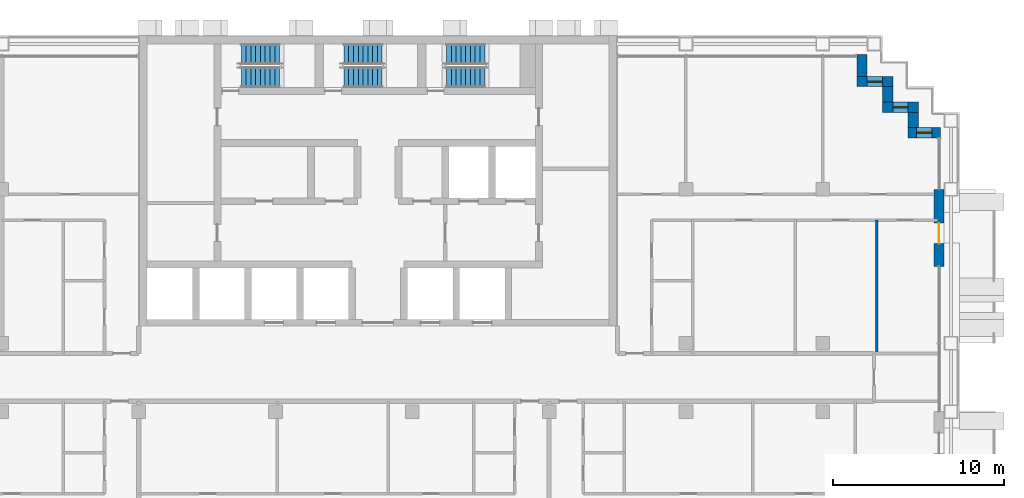
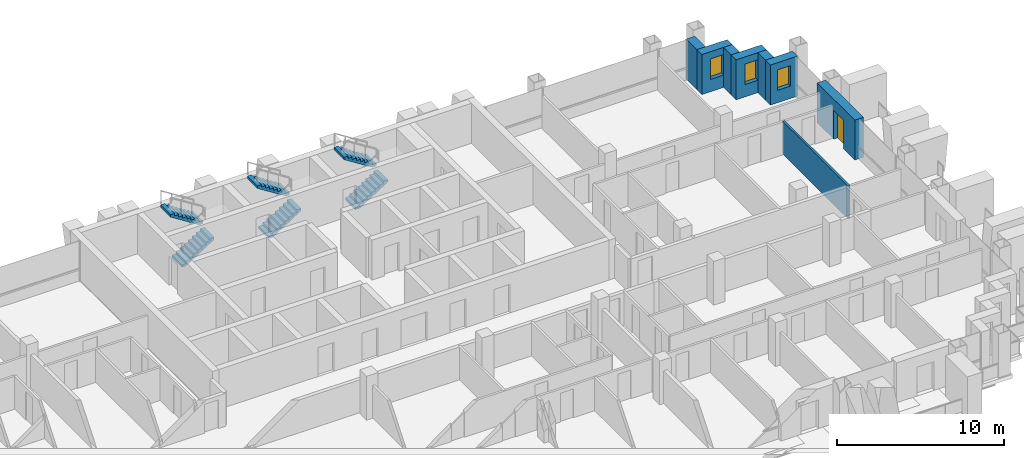
# One storey, part 12 of 17: 8 walls, 6 stair flights, 3 windows, 1 door, 4 openings, 3 elements without a shape of their own.
"""IFC4 building model written with IfcOpenShell, lengths in metres."""

from ifc_helpers import new_model, si_unit, direction, frame, frame_2d, origin, place, context, subcontext, project, spatial, polyline, rectangle, outline, extrude, material, layer, layer_set, type_object, element, fill, aggregate, save


model = new_model("IFC4")

# Units and contexts
model_context = context("Model", 3, precision=1e-05, world=origin(), true_north=direction((0.0, 1.0)))
body_context = subcontext(model_context, "Body", "Model", "MODEL_VIEW")
ifc_project = project(units=[si_unit("LENGTHUNIT", "METRE"), si_unit("AREAUNIT", "SQUARE_METRE"), si_unit("VOLUMEUNIT", "CUBIC_METRE"), si_unit("PLANEANGLEUNIT", "RADIAN"), si_unit("MASSUNIT", "GRAM", prefix="KILO")], contexts=[model_context])

# Site, building, storey
site_placement = place(None, origin())
site = spatial("IfcSite", under=ifc_project, at=site_placement, CompositionType="ELEMENT")
building_placement = place(site_placement, origin())
building = spatial("IfcBuilding", under=site, at=building_placement, Name="Vidyagriha Tower", CompositionType="ELEMENT")
storey_placement = place(building_placement, frame((0.0, 0.0, 139.0)))
storey = spatial("IfcBuildingStorey", under=building, at=storey_placement, Name="L36", CompositionType="ELEMENT", Elevation=139.0)

# Wall, opening, window
ifc_material_1 = material(Name="Precast concrete C40/50 with brick facing", Category="concrete")
ifc_layer_1 = layer(ifc_material_1, 0.60009765625)
ifc_layer_set_1 = layer_set([ifc_layer_1], Name="Precast concrete C40/50 with brick facing")
wall_type_1 = type_object("IfcWallType", Name="Brick-faced precast wall 600", PredefinedType="STANDARD", material=ifc_layer_set_1)
wall_1_placement = place(storey_placement, frame((32.8798828125, 14.300048828125, 0.0), z_axis=(0.0, 0.0, 1.0), x_axis=(-1.0, 0.0, 0.0)))
wall_1 = element("IfcWall", 1, at=wall_1_placement, inside=storey, type_object=wall_type_1, Name="Stepped corner wall L36 R01", PredefinedType="STANDARD", context=body_context, shape_type="SweptSolid", body=[
    extrude(rectangle(XDim=1.8798828125, YDim=0.60009765625, at=frame_2d((0.93994140625, 0.0))), origin(), (0.0, 0.0, 1.0), 2.919921875),
])
opening_1_placement = place(wall_1_placement, frame((0.489990234375, 0.0, 0.89990234375)))
opening_1 = element("IfcOpeningElement", 2, at=opening_1_placement, cuts=wall_1, Name="Opening WN1", PredefinedType="OPENING", context=body_context, shape_type="SweptSolid", body=[
    extrude(rectangle(XDim=0.89990234375, YDim=1.5, at=frame_2d((0.449951171875, 0.75))), frame((0.0, 0.31005859375, 0.0), z_axis=(0.0, -1.0, 0.0), x_axis=(1.0, 0.0, 0.0)), (0.0, 0.0, 1.0), 0.6201171875),
])
ifc_material_2 = material(Name="Aluminium and glass window", Category="aluminium")
window_type = type_object("IfcWindowType", Name="Reveal window 900x1500", PartitioningType="NOTDEFINED", PredefinedType="WINDOW", material=ifc_material_2)
window_1_placement = place(opening_1_placement, origin())
window_1 = element("IfcWindow", 3, at=window_1_placement, inside=storey, type_object=window_type, Name="Reveal window L36 R01", OverallHeight=1.5, OverallWidth=0.89990234375, PartitioningType="SINGLE_PANEL", PredefinedType="WINDOW", context=body_context, shape_type="SweptSolid", body=[
    extrude(rectangle(XDim=0.89990234375, YDim=1.5, at=frame_2d((0.449951171875, 0.75))), frame((0.0, 0.030029296875, 0.0), z_axis=(0.0, -1.0, 0.0), x_axis=(1.0, 0.0, 0.0)), (0.0, 0.0, 1.0), 0.06005859375),
])
fill(opening_1, window_1)

# Wall
wall_2_placement = place(storey_placement, frame((31.300048828125, 14.60009765625, 0.0), z_axis=(0.0, 0.0, 1.0), x_axis=(0.0, 1.0, 0.0)))
element("IfcWall", 4, at=wall_2_placement, inside=storey, type_object=wall_type_1, Name="Stepped corner wall L36 R02", PredefinedType="STANDARD", context=body_context, shape_type="SweptSolid", body=[
    extrude(rectangle(XDim=0.89990234375, YDim=0.60009765625, at=frame_2d((0.449951171875, 0.0))), origin(), (0.0, 0.0, 1.0), 2.919921875),
])

# Wall, opening, window
wall_3_placement = place(storey_placement, frame((31.60009765625, 15.800048828125, 0.0), z_axis=(0.0, 0.0, 1.0), x_axis=(-1.0, 0.0, 0.0)))
wall_3 = element("IfcWall", 5, at=wall_3_placement, inside=storey, type_object=wall_type_1, Name="Stepped corner wall L36 R03", PredefinedType="STANDARD", context=body_context, shape_type="SweptSolid", body=[
    extrude(rectangle(XDim=2.10009765625, YDim=0.60009765625, at=frame_2d((1.050048828125, 0.0))), origin(), (0.0, 0.0, 1.0), 2.919921875),
])
opening_2_placement = place(wall_3_placement, frame((0.60009765625, 0.0, 0.89990234375)))
opening_2 = element("IfcOpeningElement", 6, at=opening_2_placement, cuts=wall_3, Name="Opening WN1", PredefinedType="OPENING", context=body_context, shape_type="SweptSolid", body=[
    extrude(rectangle(XDim=0.89990234375, YDim=1.5, at=frame_2d((0.449951171875, 0.75))), frame((0.0, 0.31005859375, 0.0), z_axis=(0.0, -1.0, 0.0), x_axis=(1.0, 0.0, 0.0)), (0.0, 0.0, 1.0), 0.6201171875),
])
window_2_placement = place(opening_2_placement, origin())
window_2 = element("IfcWindow", 7, at=window_2_placement, inside=storey, type_object=window_type, Name="Reveal window L36 R03", OverallHeight=1.5, OverallWidth=0.89990234375, PartitioningType="SINGLE_PANEL", PredefinedType="WINDOW", context=body_context, shape_type="SweptSolid", body=[
    extrude(rectangle(XDim=0.89990234375, YDim=1.5, at=frame_2d((0.449951171875, 0.75))), frame((0.0, 0.030029296875, 0.0), z_axis=(0.0, -1.0, 0.0), x_axis=(1.0, 0.0, 0.0)), (0.0, 0.0, 1.0), 0.06005859375),
])
fill(opening_2, window_2)

# Wall
wall_4_placement = place(storey_placement, frame((29.800048828125, 16.10009765625, 0.0), z_axis=(0.0, 0.0, 1.0), x_axis=(0.0, 1.0, 0.0)))
element("IfcWall", 8, at=wall_4_placement, inside=storey, type_object=wall_type_1, Name="Stepped corner wall L36 R04", PredefinedType="STANDARD", context=body_context, shape_type="SweptSolid", body=[
    extrude(rectangle(XDim=0.89990234375, YDim=0.60009765625, at=frame_2d((0.449951171875, 0.0))), origin(), (0.0, 0.0, 1.0), 2.919921875),
])

# Wall, opening, window
wall_5_placement = place(storey_placement, frame((30.10009765625, 17.300048828125, 0.0), z_axis=(0.0, 0.0, 1.0), x_axis=(-1.0, 0.0, 0.0)))
wall_5 = element("IfcWall", 9, at=wall_5_placement, inside=storey, type_object=wall_type_1, Name="Stepped corner wall L36 R05", PredefinedType="STANDARD", context=body_context, shape_type="SweptSolid", body=[
    extrude(rectangle(XDim=2.10009765625, YDim=0.60009765625, at=frame_2d((1.050048828125, 0.0))), origin(), (0.0, 0.0, 1.0), 2.919921875),
])
opening_3_placement = place(wall_5_placement, frame((0.60009765625, 0.0, 0.89990234375)))
opening_3 = element("IfcOpeningElement", 10, at=opening_3_placement, cuts=wall_5, Name="Opening WN1", PredefinedType="OPENING", context=body_context, shape_type="SweptSolid", body=[
    extrude(rectangle(XDim=0.89990234375, YDim=1.5, at=frame_2d((0.449951171875, 0.75))), frame((0.0, 0.31005859375, 0.0), z_axis=(0.0, -1.0, 0.0), x_axis=(1.0, 0.0, 0.0)), (0.0, 0.0, 1.0), 0.6201171875),
])
window_3_placement = place(opening_3_placement, origin())
window_3 = element("IfcWindow", 11, at=window_3_placement, inside=storey, type_object=window_type, Name="Reveal window L36 R05", OverallHeight=1.5, OverallWidth=0.89990234375, PartitioningType="SINGLE_PANEL", PredefinedType="WINDOW", context=body_context, shape_type="SweptSolid", body=[
    extrude(rectangle(XDim=0.89990234375, YDim=1.5, at=frame_2d((0.449951171875, 0.75))), frame((0.0, 0.030029296875, 0.0), z_axis=(0.0, -1.0, 0.0), x_axis=(1.0, 0.0, 0.0)), (0.0, 0.0, 1.0), 0.06005859375),
])
fill(opening_3, window_3)

# Wall
wall_6_placement = place(storey_placement, frame((28.300048828125, 17.60009765625, 0.0), z_axis=(0.0, 0.0, 1.0), x_axis=(0.0, 1.0, 0.0)))
element("IfcWall", 12, at=wall_6_placement, inside=storey, type_object=wall_type_1, Name="Stepped corner wall L36 R06", PredefinedType="STANDARD", context=body_context, shape_type="SweptSolid", body=[
    extrude(rectangle(XDim=1.27978515625, YDim=0.60009765625, at=frame_2d((0.639892578125, 0.0))), origin(), (0.0, 0.0, 1.0), 2.919921875),
])

# Wall, opening, door
wall_7_placement = place(storey_placement, frame((32.800048828125, 6.5, 0.0), z_axis=(0.0, 0.0, 1.0), x_axis=(0.0, 1.0, 0.0)))
wall_7 = element("IfcWall", 13, at=wall_7_placement, inside=storey, type_object=wall_type_1, Name="Brick door bay wall L36 R30.6", PredefinedType="STANDARD", context=body_context, shape_type="SweptSolid", body=[
    extrude(rectangle(XDim=4.5, YDim=0.60009765625, at=frame_2d((2.25, 0.0))), origin(), (0.0, 0.0, 1.0), 2.919921875),
])
opening_4_placement = place(wall_7_placement, frame((1.324951171875, 0.0, 0.0)))
opening_4 = element("IfcOpeningElement", 14, at=opening_4_placement, cuts=wall_7, Name="Opening D36-77", PredefinedType="OPENING", context=body_context, shape_type="SweptSolid", body=[
    extrude(rectangle(XDim=1.199951171875, YDim=2.10009765625, at=frame_2d((0.60009765625, 1.050048828125))), frame((0.0, 0.31005859375, 0.0), z_axis=(0.0, -1.0, 0.0), x_axis=(1.0, 0.0, 0.0)), (0.0, 0.0, 1.0), 0.6201171875),
])
ifc_material_3 = material(Name="Aluminium framed glazed sliding door", Category="aluminium")
door_type = type_object("IfcDoorType", Name="Balcony sliding door 1200x2100", OperationType="NOTDEFINED", PredefinedType="DOOR", material=ifc_material_3)
door_placement = place(opening_4_placement, origin())
door = element("IfcDoor", 15, at=door_placement, inside=storey, type_object=door_type, Name="Door D36-77", OperationType="SLIDING_TO_LEFT", OverallHeight=2.10009765625, OverallWidth=1.199951171875, PredefinedType="DOOR", context=body_context, shape_type="SweptSolid", body=[
    extrude(rectangle(XDim=1.199951171875, YDim=2.10009765625, at=frame_2d((0.60009765625, 1.050048828125))), frame((0.0, 0.02490234375, 0.0), z_axis=(0.0, -1.0, 0.0), x_axis=(1.0, 0.0, 0.0)), (0.0, 0.0, 1.0), 0.050048828125),
])
fill(opening_4, door)

# Wall
ifc_material_4 = material(Name="Gypsum board partition")
ifc_layer_2 = layer(ifc_material_4, 0.14990234375)
ifc_layer_set_2 = layer_set([ifc_layer_2], Name="Gypsum board partition")
wall_type_2 = type_object("IfcWallType", Name="Gypsum board partition 150", PredefinedType="PARTITIONING", material=ifc_layer_set_2)
wall_8_placement = place(storey_placement, frame((29.14990234375, 9.199951171875, 0.0), z_axis=(0.0, 0.0, 1.0), x_axis=(0.0, -1.0, 0.0)))
element("IfcWall", 16, at=wall_8_placement, inside=storey, type_object=wall_type_2, Name="Wall all-L36-w102", PredefinedType="PARTITIONING", context=body_context, shape_type="SweptSolid", body=[
    extrude(rectangle(XDim=7.800048828125, YDim=0.14990234375, at=frame_2d((3.89990234375, 0.0))), origin(), (0.0, 0.0, 1.0), 2.39990234375),
])

# Stair, stair flights
ifc_material_5 = material(Name="Concrete C40/50", Category="concrete")
stair_type = type_object("IfcStairType", Name="Exit stair, half-turn, precast flights", PredefinedType="HALF_TURN_STAIR", material=ifc_material_5)
stair_1_placement = place(storey_placement, origin())
stair_1 = element("IfcStair", 17, at=stair_1_placement, inside=storey, type_object=stair_type, Name="L36 Exit Stair ST1", PredefinedType="HALF_TURN_STAIR")
ifc_material_6 = material(Name="Precast concrete C40/50", Category="concrete")
stair_flight_type = type_object("IfcStairFlightType", Name="Exit stair flight 1200 mm, precast", PredefinedType="STRAIGHT", material=ifc_material_6)
stair_flight_1_placement = place(storey_placement, frame((-8.0, 17.550048828125, 0.0)))
stair_flight_1 = element("IfcStairFlight", 18, at=stair_flight_1_placement, type_object=stair_flight_type, Name="ST1 flight 1", NumberOfRisers=9, NumberOfTreads=8, PredefinedType="STRAIGHT", RiserHeight=0.177777778, TreadLength=0.28, context=body_context, shape_type="SweptSolid", body=[
    extrude(outline(polyline([(0.0, 0.0), (0.0, 0.177734375), (0.280029296875, 0.177734375), (0.280029296875, 0.35546875), (0.56005859375, 0.35546875), (0.56005859375, 0.533447265625), (0.840087890625, 0.533447265625), (0.840087890625, 0.711181640625), (1.1201171875, 0.711181640625), (1.1201171875, 0.888916015625), (1.39990234375, 0.888916015625), (1.39990234375, 1.066650390625), (1.679931640625, 1.066650390625), (1.679931640625, 1.244384765625), (1.9599609375, 1.244384765625), (1.9599609375, 1.422119140625), (2.239990234375, 1.422119140625), (2.239990234375, 1.60009765625), (2.239990234375, 1.24462890625), (0.27978515625, 0.0), (0.0, 0.0)])), frame((0.0, 0.60009765625, 0.0), z_axis=(0.0, -1.0, 0.0), x_axis=(1.0, 0.0, 0.0)), (0.0, 0.0, 1.0), 1.199951171875),
])
stair_flight_2_placement = place(storey_placement, frame((-5.760009765625, 18.89990234375, 1.60009765625), z_axis=(0.0, 0.0, 1.0), x_axis=(-1.0, 0.0, 0.0)))
stair_flight_2 = element("IfcStairFlight", 19, at=stair_flight_2_placement, type_object=stair_flight_type, Name="ST1 flight 2", NumberOfRisers=9, NumberOfTreads=8, PredefinedType="STRAIGHT", RiserHeight=0.177777778, TreadLength=0.28, context=body_context, shape_type="SweptSolid", body=[
    extrude(outline(polyline([(0.0, 0.0), (0.0, 0.177734375), (0.280029296875, 0.177734375), (0.280029296875, 0.35546875), (0.56005859375, 0.35546875), (0.56005859375, 0.533447265625), (0.840087890625, 0.533447265625), (0.840087890625, 0.711181640625), (1.1201171875, 0.711181640625), (1.1201171875, 0.888916015625), (1.39990234375, 0.888916015625), (1.39990234375, 1.066650390625), (1.679931640625, 1.066650390625), (1.679931640625, 1.244384765625), (1.9599609375, 1.244384765625), (1.9599609375, 1.422119140625), (2.239990234375, 1.422119140625), (2.239990234375, 1.60009765625), (2.239990234375, 1.24462890625), (0.27978515625, 0.0), (0.0, 0.0)])), frame((0.0, 0.60009765625, 0.0), z_axis=(0.0, -1.0, 0.0), x_axis=(1.0, 0.0, 0.0)), (0.0, 0.0, 1.0), 1.199951171875),
])
aggregate(stair_1, [stair_flight_1, stair_flight_2])

stair_2_placement = place(storey_placement, origin())
stair_2 = element("IfcStair", 20, at=stair_2_placement, inside=storey, type_object=stair_type, Name="L36 Exit Stair ST2", PredefinedType="HALF_TURN_STAIR")
stair_flight_3_placement = place(storey_placement, frame((-2.0, 17.550048828125, 0.0)))
stair_flight_3 = element("IfcStairFlight", 21, at=stair_flight_3_placement, type_object=stair_flight_type, Name="ST2 flight 1", NumberOfRisers=9, NumberOfTreads=8, PredefinedType="STRAIGHT", RiserHeight=0.177777778, TreadLength=0.28, context=body_context, shape_type="SweptSolid", body=[
    extrude(outline(polyline([(0.0, 0.0), (0.0, 0.177734375), (0.280029296875, 0.177734375), (0.280029296875, 0.35546875), (0.56005859375, 0.35546875), (0.56005859375, 0.533447265625), (0.840087890625, 0.533447265625), (0.840087890625, 0.711181640625), (1.1201171875, 0.711181640625), (1.1201171875, 0.888916015625), (1.39990234375, 0.888916015625), (1.39990234375, 1.066650390625), (1.679931640625, 1.066650390625), (1.679931640625, 1.244384765625), (1.9599609375, 1.244384765625), (1.9599609375, 1.422119140625), (2.239990234375, 1.422119140625), (2.239990234375, 1.60009765625), (2.239990234375, 1.24462890625), (0.27978515625, 0.0), (0.0, 0.0)])), frame((0.0, 0.60009765625, 0.0), z_axis=(0.0, -1.0, 0.0), x_axis=(1.0, 0.0, 0.0)), (0.0, 0.0, 1.0), 1.199951171875),
])
stair_flight_4_placement = place(storey_placement, frame((0.239990234375, 18.89990234375, 1.60009765625), z_axis=(0.0, 0.0, 1.0), x_axis=(-1.0, 0.0, 0.0)))
stair_flight_4 = element("IfcStairFlight", 22, at=stair_flight_4_placement, type_object=stair_flight_type, Name="ST2 flight 2", NumberOfRisers=9, NumberOfTreads=8, PredefinedType="STRAIGHT", RiserHeight=0.177777778, TreadLength=0.28, context=body_context, shape_type="SweptSolid", body=[
    extrude(outline(polyline([(0.0, 0.0), (0.0, 0.177734375), (0.280029296875, 0.177734375), (0.280029296875, 0.35546875), (0.56005859375, 0.35546875), (0.56005859375, 0.533447265625), (0.840087890625, 0.533447265625), (0.840087890625, 0.711181640625), (1.1201171875, 0.711181640625), (1.1201171875, 0.888916015625), (1.39990234375, 0.888916015625), (1.39990234375, 1.066650390625), (1.679931640625, 1.066650390625), (1.679931640625, 1.244384765625), (1.9599609375, 1.244384765625), (1.9599609375, 1.422119140625), (2.239990234375, 1.422119140625), (2.239990234375, 1.60009765625), (2.239990234375, 1.24462890625), (0.27978515625, 0.0), (0.0, 0.0)])), frame((0.0, 0.60009765625, 0.0), z_axis=(0.0, -1.0, 0.0), x_axis=(1.0, 0.0, 0.0)), (0.0, 0.0, 1.0), 1.199951171875),
])
aggregate(stair_2, [stair_flight_3, stair_flight_4])

stair_3_placement = place(storey_placement, origin())
stair_3 = element("IfcStair", 23, at=stair_3_placement, inside=storey, type_object=stair_type, Name="L36 Exit Stair ST3", PredefinedType="HALF_TURN_STAIR")
stair_flight_5_placement = place(storey_placement, frame((4.0, 17.550048828125, 0.0)))
stair_flight_5 = element("IfcStairFlight", 24, at=stair_flight_5_placement, type_object=stair_flight_type, Name="ST3 flight 1", NumberOfRisers=9, NumberOfTreads=8, PredefinedType="STRAIGHT", RiserHeight=0.177777778, TreadLength=0.28, context=body_context, shape_type="SweptSolid", body=[
    extrude(outline(polyline([(0.0, 0.0), (0.0, 0.177734375), (0.280029296875, 0.177734375), (0.280029296875, 0.35546875), (0.56005859375, 0.35546875), (0.56005859375, 0.533447265625), (0.840087890625, 0.533447265625), (0.840087890625, 0.711181640625), (1.1201171875, 0.711181640625), (1.1201171875, 0.888916015625), (1.39990234375, 0.888916015625), (1.39990234375, 1.066650390625), (1.679931640625, 1.066650390625), (1.679931640625, 1.244384765625), (1.9599609375, 1.244384765625), (1.9599609375, 1.422119140625), (2.239990234375, 1.422119140625), (2.239990234375, 1.60009765625), (2.239990234375, 1.24462890625), (0.27978515625, 0.0), (0.0, 0.0)])), frame((0.0, 0.60009765625, 0.0), z_axis=(0.0, -1.0, 0.0), x_axis=(1.0, 0.0, 0.0)), (0.0, 0.0, 1.0), 1.199951171875),
])
stair_flight_6_placement = place(storey_placement, frame((6.239990234375, 18.89990234375, 1.60009765625), z_axis=(0.0, 0.0, 1.0), x_axis=(-1.0, 0.0, 0.0)))
stair_flight_6 = element("IfcStairFlight", 25, at=stair_flight_6_placement, type_object=stair_flight_type, Name="ST3 flight 2", NumberOfRisers=9, NumberOfTreads=8, PredefinedType="STRAIGHT", RiserHeight=0.177777778, TreadLength=0.28, context=body_context, shape_type="SweptSolid", body=[
    extrude(outline(polyline([(0.0, 0.0), (0.0, 0.177734375), (0.280029296875, 0.177734375), (0.280029296875, 0.35546875), (0.56005859375, 0.35546875), (0.56005859375, 0.533447265625), (0.840087890625, 0.533447265625), (0.840087890625, 0.711181640625), (1.1201171875, 0.711181640625), (1.1201171875, 0.888916015625), (1.39990234375, 0.888916015625), (1.39990234375, 1.066650390625), (1.679931640625, 1.066650390625), (1.679931640625, 1.244384765625), (1.9599609375, 1.244384765625), (1.9599609375, 1.422119140625), (2.239990234375, 1.422119140625), (2.239990234375, 1.60009765625), (2.239990234375, 1.24462890625), (0.27978515625, 0.0), (0.0, 0.0)])), frame((0.0, 0.60009765625, 0.0), z_axis=(0.0, -1.0, 0.0), x_axis=(1.0, 0.0, 0.0)), (0.0, 0.0, 1.0), 1.199951171875),
])
aggregate(stair_3, [stair_flight_5, stair_flight_6])

save(model, "model.ifc")
